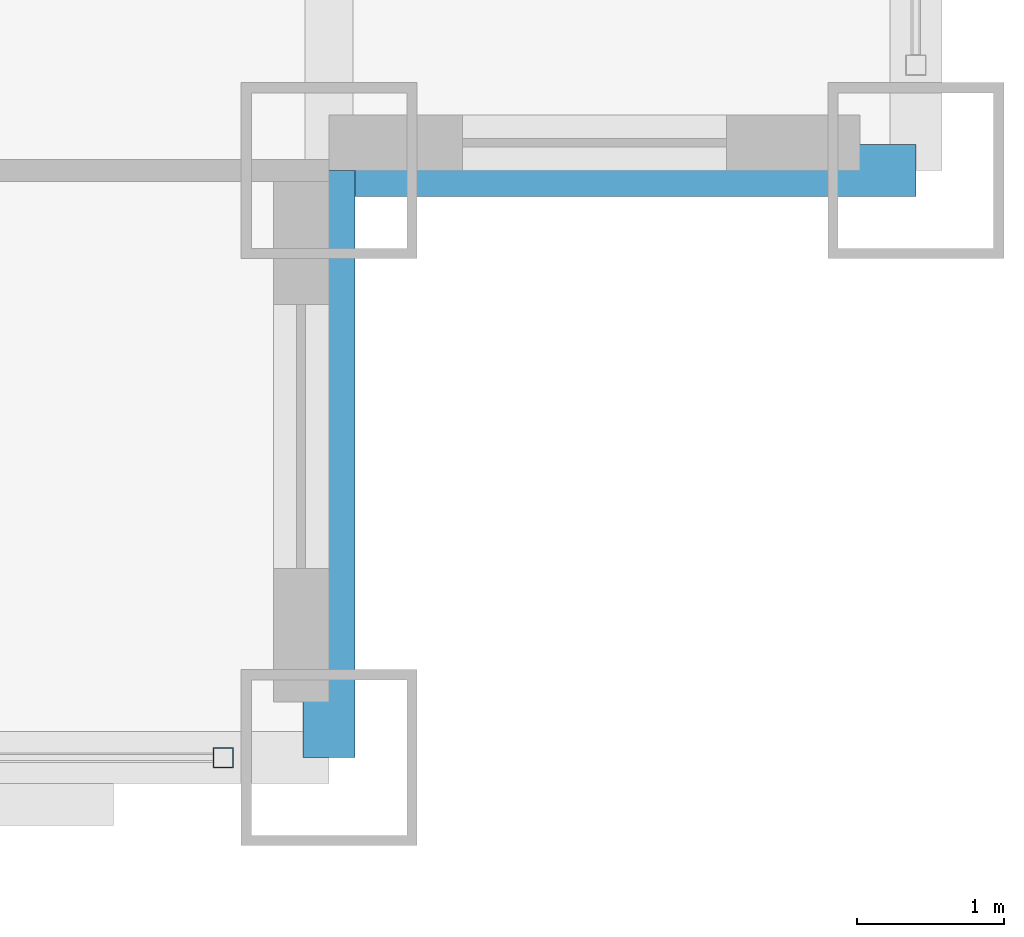
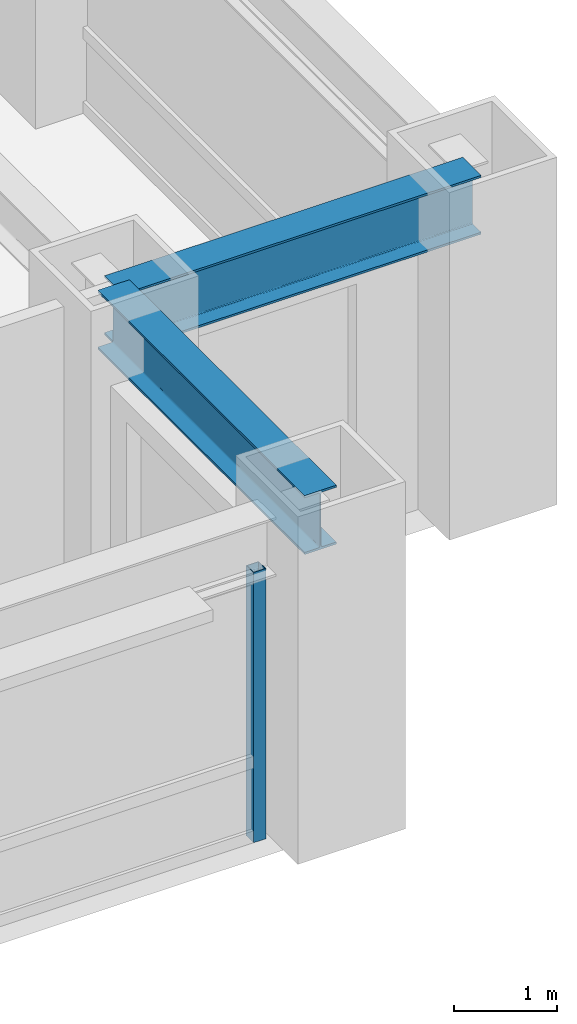
# One storey, part 6 of 32: 2 beams, 1 member, 1 element without a shape of its own.
"""IFC4 building model written with IfcOpenShell, lengths in metres."""

from ifc_helpers import new_model, si_unit, direction, frame, origin, origin_2d, place, context, subcontext, project, spatial, hollow_rectangle, i_section, extrude, source, transform, mapped, material, material_profile, profile_set, type_object, element, aggregate, save


model = new_model("IFC4")

# Units and contexts
model_context = context("Model", 3, precision=1e-05, world=origin(), true_north=direction((0.0, 1.0)))
body_context = subcontext(model_context, "Body", "Model", "MODEL_VIEW")
ifc_project = project(units=[si_unit("LENGTHUNIT", "METRE"), si_unit("AREAUNIT", "SQUARE_METRE"), si_unit("VOLUMEUNIT", "CUBIC_METRE"), si_unit("PLANEANGLEUNIT", "RADIAN"), si_unit("MASSUNIT", "GRAM", prefix="KILO")], contexts=[model_context])

# Site, building, storey
site_placement = place(None, origin())
site = spatial("IfcSite", under=ifc_project, at=site_placement, CompositionType="ELEMENT")
building_placement = place(site_placement, origin())
building = spatial("IfcBuilding", under=site, at=building_placement, Name="Khorayat Bourse Tower", CompositionType="ELEMENT")
storey_placement = place(building_placement, frame((0.0, 0.0, 136.5)))
storey = spatial("IfcBuildingStorey", under=building, at=storey_placement, Name="L31", CompositionType="ELEMENT", Elevation=136.5)

# Beams
ifc_material_1 = material(Name="Steel ASTM A992 Grade 50", Category="steel")
ifc_material_profile_1 = material_profile(ifc_material_1, i_section(OverallWidth=0.35498046875, OverallDepth=0.695068359375, WebThickness=0.015380859375, FlangeThickness=0.02490234375, FilletRadius=0.01806640625, at=origin_2d()), Name="W690X217")
ifc_profile_set_1 = profile_set([ifc_material_profile_1], Name="Steel ASTM A992 Grade 50")
beam_type = type_object("IfcBeamType", Name="BM-SPAN-690", PredefinedType="SPANDREL", material=ifc_profile_set_1)
shared_shape_1 = source(origin(), body_context, "Body", "SweptSolid", [
    extrude(i_section(OverallWidth=0.35498046875, OverallDepth=0.695068359375, WebThickness=0.015380859375, FlangeThickness=0.02490234375, FilletRadius=0.01806640625, at=origin_2d()), origin(), (0.0, 0.0, 1.0), 4.0),
])
for number, where, z_axis, x_axis, name in (
    (1, (28.0, -32.0, 3.492431640625), (0.0, 1.0, 0.0), (-1.0, 0.0, 0.0), "L31 BM-SPAN-690 BM-L31-SPN-032"),
    (2, (28.0, -28.0, 3.492431640625), (1.0, 0.0, 0.0), (0.0, 1.0, 0.0), "L31 BM-SPAN-690 BM-L31-SPN-033"),
):
    element("IfcBeam", number, at=place(storey_placement, frame(where, z_axis=z_axis, x_axis=x_axis)), inside=storey, type_object=beam_type, Name=name, PredefinedType="SPANDREL", context=body_context, shape_type="MappedRepresentation", body=[
        mapped(shared_shape_1, transform((0.0, 0.0, 0.0), scale=1.0)),
    ])

# Curtain wall, member
ifc_material_2 = material(Name="Aluminium EN AW-6063 T6", Category="aluminium")
curtain_wall_type = type_object("IfcCurtainWallType", Name="CW-SYS-02", PredefinedType="NOTDEFINED", material=ifc_material_2)
curtain_wall_placement = place(storey_placement, origin())
curtain_wall = element("IfcCurtainWall", 3, at=curtain_wall_placement, inside=storey, type_object=curtain_wall_type, Name="L31 Curtain Wall CW-L31-S1", PredefinedType="NOTDEFINED")
ifc_material_profile_2 = material_profile(ifc_material_2, hollow_rectangle(XDim=0.139892578125, YDim=0.139892578125, WallThickness=0.006103515625, at=origin_2d()), Name="ALU 140x140x6")
ifc_profile_set_2 = profile_set([ifc_material_profile_2], Name="Aluminium EN AW-6063 T6")
member_type = type_object("IfcMemberType", Name="CWM-VERT-140", PredefinedType="MULLION", material=ifc_profile_set_2)
shared_shape_2 = source(origin(), body_context, "Body", "SweptSolid", [
    extrude(hollow_rectangle(XDim=0.139892578125, YDim=0.139892578125, WallThickness=0.006103515625, at=origin_2d()), origin(), (0.0, 0.0, 1.0), 3.18994140625),
])
member_placement = place(storey_placement, frame((27.280029296875, -32.0, 0.0), z_axis=(0.0, 0.0, 1.0), x_axis=(0.0, 1.0, 0.0)))
member = element("IfcMember", 4, at=member_placement, type_object=member_type, Name="CW-L31-S1 Vertical Mullion 3", PredefinedType="MULLION", context=body_context, shape_type="MappedRepresentation", body=[
    mapped(shared_shape_2, transform((0.0, 0.0, 0.0), scale=1.0)),
])
aggregate(curtain_wall, [member])

save(model, "model.ifc")
